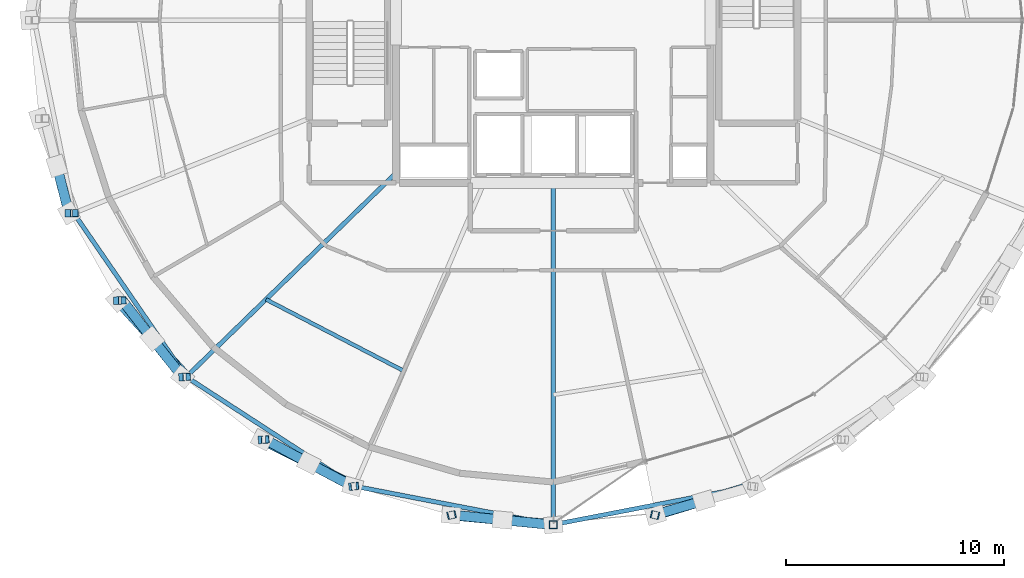
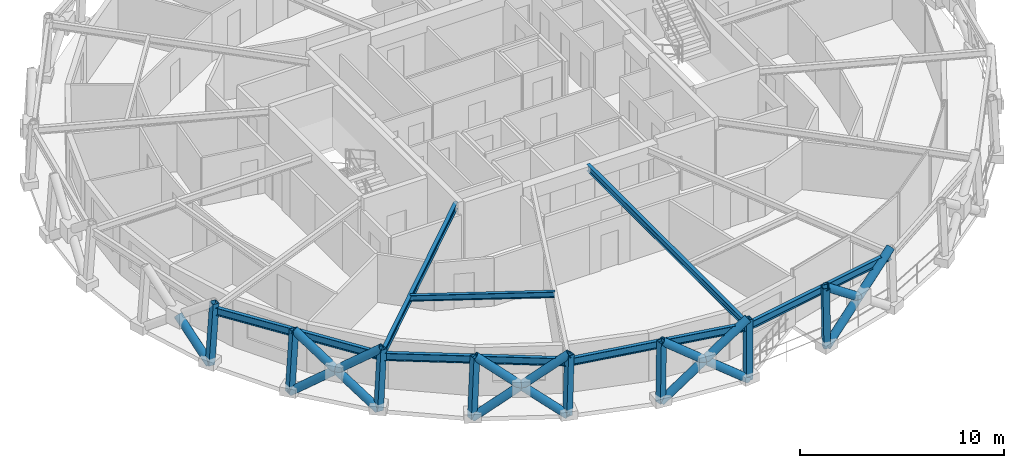
# One storey, part 1 of 17: 20 members, 7 beams.
"""IFC4 building model written with IfcOpenShell, lengths in metres."""

from ifc_helpers import new_model, si_unit, direction, frame, origin, origin_2d, place, context, subcontext, project, spatial, hollow_rectangle, hollow_circle, i_section, extrude, material, material_profile, profile_set, type_object, element, save


model = new_model("IFC4")

# Units and contexts
model_context = context("Model", 3, precision=1e-05, world=origin(), true_north=direction((0.0, 1.0)))
body_context = subcontext(model_context, "Body", "Model", "MODEL_VIEW")
ifc_project = project(units=[si_unit("LENGTHUNIT", "METRE"), si_unit("AREAUNIT", "SQUARE_METRE"), si_unit("VOLUMEUNIT", "CUBIC_METRE"), si_unit("PLANEANGLEUNIT", "RADIAN"), si_unit("MASSUNIT", "GRAM", prefix="KILO")], contexts=[model_context])

# Site, building, storey
site_placement = place(None, origin())
site = spatial("IfcSite", under=ifc_project, at=site_placement, CompositionType="ELEMENT")
building_placement = place(site_placement, origin())
building = spatial("IfcBuilding", under=site, at=building_placement, Name="Veldorina Hangang Commons", CompositionType="ELEMENT")
storey_placement = place(building_placement, frame((0.0, 0.0, 236.39990234375)))
storey = spatial("IfcBuildingStorey", under=building, at=storey_placement, Name="L61", CompositionType="ELEMENT", Elevation=236.39990234375)

# Beams
ifc_material = material(Name="Steel SM355-TMC", Category="steel")
ifc_material_profile_1 = material_profile(ifc_material, i_section(OverallWidth=0.199951171875, OverallDepth=0.39990234375, WebThickness=0.008056640625, FlangeThickness=0.012939453125, FilletRadius=0.012939453125, at=origin_2d()), Name="H-400x200x8x13")
ifc_profile_set_1 = profile_set([ifc_material_profile_1], Name="Steel SM355-TMC")
beam_type_1 = type_object("IfcBeamType", Name="BM-FG400", PredefinedType="BEAM", material=ifc_profile_set_1)
beam_1_placement = place(storey_placement, frame((24.800048828125, 17.00146484375, 3.16015625), z_axis=(-0.717064277659, -0.697007045664, 0.0), x_axis=(0.697007045664, -0.717064277659, 0.0)))
element("IfcBeam", 1, at=beam_1_placement, inside=storey, type_object=beam_type_1, Name="L61 radial floor girder 11", PredefinedType="BEAM", context=body_context, shape_type="SweptSolid", body=[
    extrude(i_section(OverallWidth=0.199951171875, OverallDepth=0.39990234375, WebThickness=0.008056640625, FlangeThickness=0.012939453125, FilletRadius=0.012939453125, at=origin_2d()), origin(), (0.0, 0.0, 1.0), 13.389404296875),
])
beam_2_placement = place(storey_placement, frame((32.0, 16.550048828125, 3.16015625), z_axis=(0.0, -1.0, 0.0), x_axis=(1.0, 0.0, 0.0)))
element("IfcBeam", 2, at=beam_2_placement, inside=storey, type_object=beam_type_1, Name="L61 radial floor girder 13", PredefinedType="BEAM", context=body_context, shape_type="SweptSolid", body=[
    extrude(i_section(OverallWidth=0.199951171875, OverallDepth=0.39990234375, WebThickness=0.008056640625, FlangeThickness=0.012939453125, FilletRadius=0.012939453125, at=origin_2d()), origin(), (0.0, 0.0, 1.0), 15.6455078125),
])
ifc_material_profile_2 = material_profile(ifc_material, i_section(OverallWidth=0.175048828125, OverallDepth=0.35009765625, WebThickness=0.007080078125, FlangeThickness=0.010986328125, FilletRadius=0.012939453125, at=origin_2d()), Name="H-350x175x7x11")
ifc_profile_set_2 = profile_set([ifc_material_profile_2], Name="Steel SM355-TMC")
beam_type_2 = type_object("IfcBeamType", Name="BM-JST350", PredefinedType="JOIST", material=ifc_profile_set_2)
beam_3_placement = place(storey_placement, frame((18.847412109375, 11.21533203125, 3.18505859375), z_axis=(0.887494996303, -0.460817351602, 0.0), x_axis=(0.460817351602, 0.887494996303, 0.0)))
element("IfcBeam", 3, at=beam_3_placement, inside=storey, type_object=beam_type_2, Name="L61 secondary floor joist 11", PredefinedType="JOIST", context=body_context, shape_type="SweptSolid", body=[
    extrude(i_section(OverallWidth=0.175048828125, OverallDepth=0.35009765625, WebThickness=0.007080078125, FlangeThickness=0.010986328125, FilletRadius=0.012939453125, at=origin_2d()), origin(), (0.0, 0.0, 1.0), 7.1083984375),
])
ifc_material_profile_3 = material_profile(ifc_material, i_section(OverallWidth=0.199951171875, OverallDepth=0.449951171875, WebThickness=0.009033203125, FlangeThickness=0.013916015625, FilletRadius=0.01611328125, at=origin_2d()), Name="H-450x200x9x14")
ifc_profile_set_3 = profile_set([ifc_material_profile_3], Name="Steel SM355-TMC")
beam_type_3 = type_object("IfcBeamType", Name="BM-RB450", PredefinedType="BEAM", material=ifc_profile_set_3)
beam_4_placement = place(storey_placement, frame((10.04833984375, 15.16162109375, 3.135009765625), z_axis=(0.566485517873, -0.824071694721, 0.0), x_axis=(0.824071694721, 0.566485517873, 0.0)))
element("IfcBeam", 4, at=beam_4_placement, inside=storey, type_object=beam_type_3, Name="L61 perimeter hoop ring beam 18", PredefinedType="BEAM", context=body_context, shape_type="SweptSolid", body=[
    extrude(i_section(OverallWidth=0.199951171875, OverallDepth=0.449951171875, WebThickness=0.009033203125, FlangeThickness=0.013916015625, FilletRadius=0.01611328125, at=origin_2d()), origin(), (0.0, 0.0, 1.0), 9.09228515625),
])
beam_5_placement = place(storey_placement, frame((15.198974609375, 7.6689453125, 3.135009765625), z_axis=(0.838643218797, -0.544681146696, 0.0), x_axis=(0.544681146696, 0.838643218797, 0.0)))
element("IfcBeam", 5, at=beam_5_placement, inside=storey, type_object=beam_type_3, Name="L61 perimeter hoop ring beam 20", PredefinedType="BEAM", context=body_context, shape_type="SweptSolid", body=[
    extrude(i_section(OverallWidth=0.199951171875, OverallDepth=0.449951171875, WebThickness=0.009033203125, FlangeThickness=0.013916015625, FilletRadius=0.01611328125, at=origin_2d()), origin(), (0.0, 0.0, 1.0), 9.19140625),
])
for number, where, z_axis, x_axis, name in (
    (6, (22.9072265625, 2.66259765625, 3.135009765625), (0.981816796626, -0.189830919142, 0.0), (0.189830919142, 0.981816796626, 0.0), "L61 perimeter hoop ring beam 22"),
    (7, (32.0, 0.904541015625, 3.135009765625), (0.981816796626, 0.189830919142, 0.0), (-0.189830919142, 0.981816796626, 0.0), "L61 perimeter hoop ring beam 24"),
):
    element("IfcBeam", number, at=place(storey_placement, frame(where, z_axis=z_axis, x_axis=x_axis)), inside=storey, type_object=beam_type_3, Name=name, PredefinedType="BEAM", context=body_context, shape_type="SweptSolid", body=[
        extrude(i_section(OverallWidth=0.199951171875, OverallDepth=0.449951171875, WebThickness=0.009033203125, FlangeThickness=0.013916015625, FilletRadius=0.01611328125, at=origin_2d()), origin(), (0.0, 0.0, 1.0), 9.26123046875),
    ])

# Members
ifc_material_profile_4 = material_profile(ifc_material, hollow_circle(Radius=0.22509765625, WallThickness=0.02197265625, at=origin_2d()), Name="CHS-450x22")
ifc_profile_set_4 = profile_set([ifc_material_profile_4], Name="Steel SM355-TMC")
member_type_1 = type_object("IfcMemberType", Name="DG-CHS450", PredefinedType="BRACE", material=ifc_profile_set_4)
member_1_placement = place(storey_placement, frame((9.830322265625, 15.15771484375, 0.0), z_axis=(-0.193897684111, 0.754518595489, 0.626981161725), x_axis=(-0.968530502686, -0.24889488819, 0.0)))
element("IfcMember", 8, at=member_1_placement, inside=storey, type_object=member_type_1, Name="L61 split perimeter diagrid lower brace 18", PredefinedType="BRACE", context=body_context, shape_type="SweptSolid", body=[
    extrude(hollow_circle(Radius=0.22509765625, WallThickness=0.02197265625, at=origin_2d()), origin(), (0.0, 0.0, 1.0), 2.873291015625),
])
member_2_placement = place(storey_placement, frame((12.0478515625, 11.162841796875, 0.0), z_axis=(0.534935436165, -0.588313833777, 0.606408205849), x_axis=(0.739874545098, 0.672744868071, 0.0)))
element("IfcMember", 9, at=member_2_placement, inside=storey, type_object=member_type_1, Name="L61 continuous perimeter diagrid brace 19", PredefinedType="BRACE", context=body_context, shape_type="SweptSolid", body=[
    extrude(hollow_circle(Radius=0.22509765625, WallThickness=0.02197265625, at=origin_2d()), origin(), (0.0, 0.0, 1.0), 5.936767578125),
])
member_3_placement = place(storey_placement, frame((15.031982421875, 7.66162109375, 0.0), z_axis=(-0.484463746815, 0.609083826874, 0.627942489296), x_axis=(-0.782622808212, -0.622496216909, 0.0)))
element("IfcMember", 10, at=member_3_placement, inside=storey, type_object=member_type_1, Name="L61 split perimeter diagrid lower brace 20", PredefinedType="BRACE", context=body_context, shape_type="SweptSolid", body=[
    extrude(hollow_circle(Radius=0.22509765625, WallThickness=0.02197265625, at=origin_2d()), origin(), (0.0, 0.0, 1.0), 2.8740234375),
])
member_4_placement = place(storey_placement, frame((13.6396484375, 9.412109375, 1.8046875), z_axis=(-0.477777300579, 0.614528995331, 0.627760276658), x_axis=(-0.789470302339, -0.613788759855, 0.0)))
element("IfcMember", 11, at=member_4_placement, inside=storey, type_object=member_type_1, Name="L61 split perimeter diagrid upper brace 20", PredefinedType="BRACE", context=body_context, shape_type="SweptSolid", body=[
    extrude(hollow_circle(Radius=0.22509765625, WallThickness=0.02197265625, at=origin_2d()), origin(), (0.0, 0.0, 1.0), 2.860107421875),
])
member_5_placement = place(storey_placement, frame((18.66845703125, 4.7880859375, 0.0), z_axis=(0.713137176084, -0.356220556464, 0.60377337076), x_axis=(0.446864288165, 0.894601759423, 0.0)))
element("IfcMember", 12, at=member_5_placement, inside=storey, type_object=member_type_1, Name="L61 continuous perimeter diagrid brace 21", PredefinedType="BRACE", context=body_context, shape_type="SweptSolid", body=[
    extrude(hollow_circle(Radius=0.22509765625, WallThickness=0.02197265625, at=origin_2d()), origin(), (0.0, 0.0, 1.0), 5.962646484375),
])
member_6_placement = place(storey_placement, frame((22.81689453125, 2.652587890625, 0.0), z_axis=(-0.691856889502, 0.367328676049, 0.621613777358), x_axis=(-0.468935879767, -0.8832322122, 0.0)))
element("IfcMember", 13, at=member_6_placement, inside=storey, type_object=member_type_1, Name="L61 split perimeter diagrid lower brace 22", PredefinedType="BRACE", context=body_context, shape_type="SweptSolid", body=[
    extrude(hollow_circle(Radius=0.22509765625, WallThickness=0.02197265625, at=origin_2d()), origin(), (0.0, 0.0, 1.0), 2.9091796875),
])
member_7_placement = place(storey_placement, frame((20.80419921875, 3.72119140625, 1.808349609375), z_axis=(-0.688640194548, 0.37353564906, 0.621486766821), x_axis=(-0.476798431167, -0.879012659771, 0.0)))
element("IfcMember", 14, at=member_7_placement, inside=storey, type_object=member_type_1, Name="L61 split perimeter diagrid upper brace 22", PredefinedType="BRACE", context=body_context, shape_type="SweptSolid", body=[
    extrude(hollow_circle(Radius=0.22509765625, WallThickness=0.02197265625, at=origin_2d()), origin(), (0.0, 0.0, 1.0), 2.883056640625),
])
member_8_placement = place(storey_placement, frame((27.318603515625, 1.337890625, 0.0), z_axis=(0.790592596049, -0.072936547714, 0.607983229275), x_axis=(0.091865432129, 0.995771430791, 0.0)))
element("IfcMember", 15, at=member_8_placement, inside=storey, type_object=member_type_1, Name="L61 continuous perimeter diagrid brace 23", PredefinedType="BRACE", context=body_context, shape_type="SweptSolid", body=[
    extrude(hollow_circle(Radius=0.22509765625, WallThickness=0.02197265625, at=origin_2d()), origin(), (0.0, 0.0, 1.0), 5.92138671875),
])
member_9_placement = place(storey_placement, frame((32.0, 0.893798828125, 0.0), z_axis=(-0.787004502911, 0.076776900001, 0.612151304845), x_axis=(-0.097094919465, -0.99527512609, 0.0)))
element("IfcMember", 16, at=member_9_placement, inside=storey, type_object=member_type_1, Name="L61 split perimeter diagrid lower brace 24", PredefinedType="BRACE", context=body_context, shape_type="SweptSolid", body=[
    extrude(hollow_circle(Radius=0.22509765625, WallThickness=0.02197265625, at=origin_2d()), origin(), (0.0, 0.0, 1.0), 2.957275390625),
])
member_10_placement = place(storey_placement, frame((29.672607421875, 1.120849609375, 1.810302734375), z_axis=(-0.78694163957, 0.078310127086, 0.612037890907), x_axis=(-0.099022902079, -0.995085154579, 0.0)))
element("IfcMember", 17, at=member_10_placement, inside=storey, type_object=member_type_1, Name="L61 split perimeter diagrid upper brace 24", PredefinedType="BRACE", context=body_context, shape_type="SweptSolid", body=[
    extrude(hollow_circle(Radius=0.22509765625, WallThickness=0.02197265625, at=origin_2d()), origin(), (0.0, 0.0, 1.0), 2.92431640625),
])
member_11_placement = place(storey_placement, frame((36.681396484375, 1.337890625, 0.0), z_axis=(0.753562038437, 0.227231541733, 0.616854991606), x_axis=(-0.288703130608, 0.957418666194, 0.0)))
element("IfcMember", 18, at=member_11_placement, inside=storey, type_object=member_type_1, Name="L61 continuous perimeter diagrid brace 25", PredefinedType="BRACE", context=body_context, shape_type="SweptSolid", body=[
    extrude(hollow_circle(Radius=0.22509765625, WallThickness=0.02197265625, at=origin_2d()), origin(), (0.0, 0.0, 1.0), 5.836181640625),
])
member_12_placement = place(storey_placement, frame((38.891845703125, 2.00439453125, 1.8095703125), z_axis=(-0.764815516427, -0.221194217858, 0.605087054744), x_axis=(0.277826577495, -0.960631247065, 0.0)))
element("IfcMember", 19, at=member_12_placement, inside=storey, type_object=member_type_1, Name="L61 split perimeter diagrid upper brace 26", PredefinedType="BRACE", context=body_context, shape_type="SweptSolid", body=[
    extrude(hollow_circle(Radius=0.22509765625, WallThickness=0.02197265625, at=origin_2d()), origin(), (0.0, 0.0, 1.0), 2.959228515625),
])
ifc_material_profile_5 = material_profile(ifc_material, hollow_rectangle(XDim=0.35009765625, YDim=0.35009765625, WallThickness=0.01611328125, at=origin_2d()), Name="SHS-350x350x16")
ifc_profile_set_5 = profile_set([ifc_material_profile_5], Name="Steel SM355-TMC")
member_type_2 = type_object("IfcMemberType", Name="STR-SHS350", PredefinedType="STRUT", material=ifc_profile_set_5)
member_13_placement = place(storey_placement, frame((9.830322265625, 15.15771484375, 0.0), z_axis=(0.069342998123, 0.001285382404, 0.997592049088), x_axis=(-0.018533401555, 0.999828241763, 0.0)))
element("IfcMember", 20, at=member_13_placement, inside=storey, type_object=member_type_2, Name="L61 perimeter ring node post 18", PredefinedType="STRUT", context=body_context, shape_type="SweptSolid", body=[
    extrude(hollow_rectangle(XDim=0.35009765625, YDim=0.35009765625, WallThickness=0.01611328125, at=origin_2d()), origin(), (0.0, 0.0, 1.0), 3.60888671875),
])
member_14_placement = place(storey_placement, frame((12.0478515625, 11.162841796875, 0.0), z_axis=(0.062470875088, 0.001895107803, 0.99804498813), x_axis=(-0.030321912441, 0.999540185098, 0.0)))
element("IfcMember", 21, at=member_14_placement, inside=storey, type_object=member_type_2, Name="L61 perimeter ring node post 19", PredefinedType="STRUT", context=body_context, shape_type="SweptSolid", body=[
    extrude(hollow_rectangle(XDim=0.35009765625, YDim=0.35009765625, WallThickness=0.01611328125, at=origin_2d()), origin(), (0.0, 0.0, 1.0), 3.607177734375),
])
member_15_placement = place(storey_placement, frame((15.031982421875, 7.66162109375, 0.0), z_axis=(0.053159354051, 0.002370162283, 0.998583229084), x_axis=(-0.044541736754, 0.99900752434, 0.0)))
element("IfcMember", 22, at=member_15_placement, inside=storey, type_object=member_type_2, Name="L61 perimeter ring node post 20", PredefinedType="STRUT", context=body_context, shape_type="SweptSolid", body=[
    extrude(hollow_rectangle(XDim=0.35009765625, YDim=0.35009765625, WallThickness=0.01611328125, at=origin_2d()), origin(), (0.0, 0.0, 1.0), 3.605224609375),
])
member_16_placement = place(storey_placement, frame((18.66845703125, 4.7880859375, 0.0), z_axis=(0.041737477683, 0.002777981469, 0.999124749856), x_axis=(-0.066411501771, 0.997792319289, 0.0)))
element("IfcMember", 23, at=member_16_placement, inside=storey, type_object=member_type_2, Name="L61 perimeter ring node post 21", PredefinedType="STRUT", context=body_context, shape_type="SweptSolid", body=[
    extrude(hollow_rectangle(XDim=0.35009765625, YDim=0.35009765625, WallThickness=0.01611328125, at=origin_2d()), origin(), (0.0, 0.0, 1.0), 3.603271484375),
])
member_17_placement = place(storey_placement, frame((22.81689453125, 2.652587890625, 0.0), z_axis=(0.028809265977, 0.003185965885, 0.999579849644), x_axis=(-0.109918141714, 0.993940643158, 0.0)))
element("IfcMember", 24, at=member_17_placement, inside=storey, type_object=member_type_2, Name="L61 perimeter ring node post 22", PredefinedType="STRUT", context=body_context, shape_type="SweptSolid", body=[
    extrude(hollow_rectangle(XDim=0.35009765625, YDim=0.35009765625, WallThickness=0.01611328125, at=origin_2d()), origin(), (0.0, 0.0, 1.0), 3.6015625),
])
member_18_placement = place(storey_placement, frame((27.318603515625, 1.337890625, 0.0), z_axis=(0.014646388076, 0.003322560258, 0.999887215595), x_axis=(-0.221230798555, 0.975221479342, 0.0)))
element("IfcMember", 25, at=member_18_placement, inside=storey, type_object=member_type_2, Name="L61 perimeter ring node post 23", PredefinedType="STRUT", context=body_context, shape_type="SweptSolid", body=[
    extrude(hollow_rectangle(XDim=0.35009765625, YDim=0.35009765625, WallThickness=0.01611328125, at=origin_2d()), origin(), (0.0, 0.0, 1.0), 3.6005859375),
])
member_19_placement = place(storey_placement, frame((32.0, 0.893798828125, 0.0), z_axis=(0.0, 0.003390730542, 0.999994251457), x_axis=(-1.0, 0.0, 0.0)))
element("IfcMember", 26, at=member_19_placement, inside=storey, type_object=member_type_2, Name="L61 perimeter ring node post 24", PredefinedType="STRUT", context=body_context, shape_type="SweptSolid", body=[
    extrude(hollow_rectangle(XDim=0.35009765625, YDim=0.35009765625, WallThickness=0.01611328125, at=origin_2d()), origin(), (0.0, 0.0, 1.0), 3.60009765625),
])
member_20_placement = place(storey_placement, frame((36.681396484375, 1.337890625, 0.0), z_axis=(-0.014646388076, 0.003322560258, 0.999887215595), x_axis=(-0.221230798555, -0.975221479342, 0.0)))
element("IfcMember", 27, at=member_20_placement, inside=storey, type_object=member_type_2, Name="L61 perimeter ring node post 25", PredefinedType="STRUT", context=body_context, shape_type="SweptSolid", body=[
    extrude(hollow_rectangle(XDim=0.35009765625, YDim=0.35009765625, WallThickness=0.01611328125, at=origin_2d()), origin(), (0.0, 0.0, 1.0), 3.6005859375),
])

save(model, "model.ifc")
